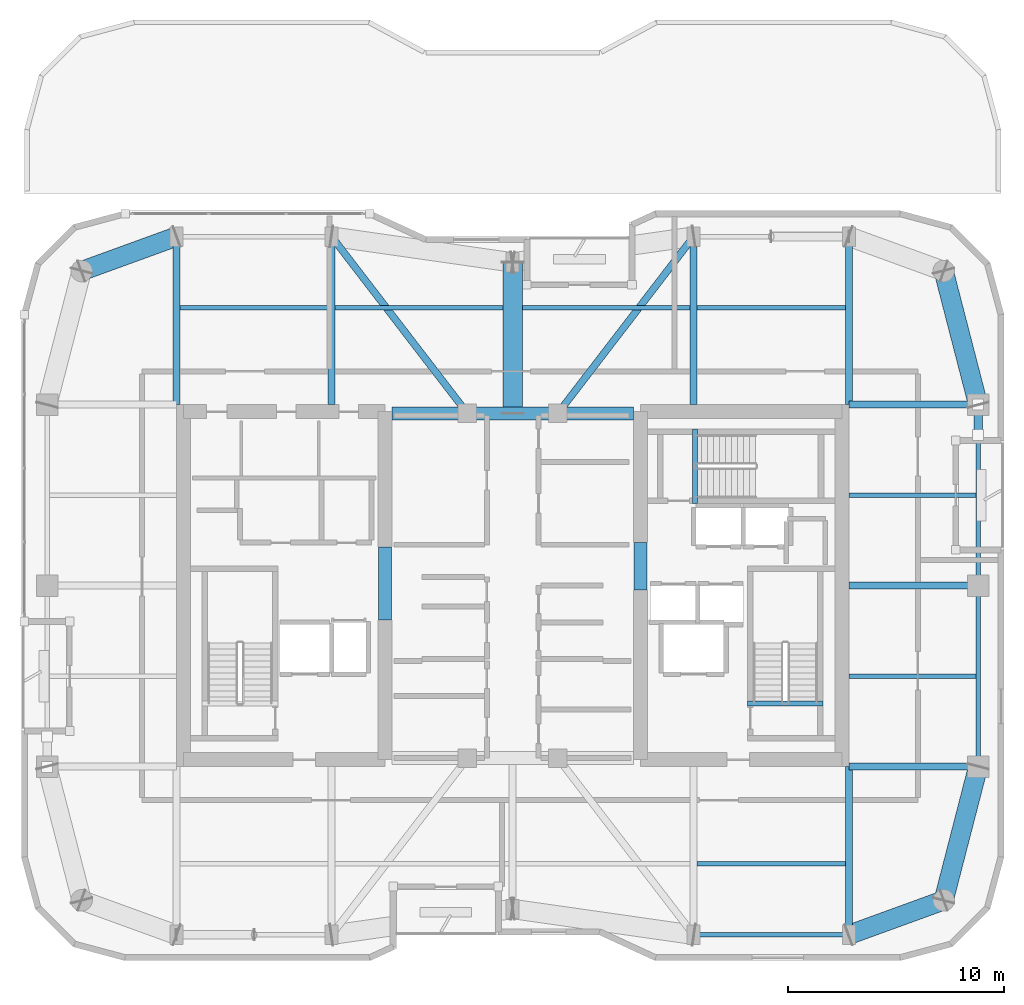
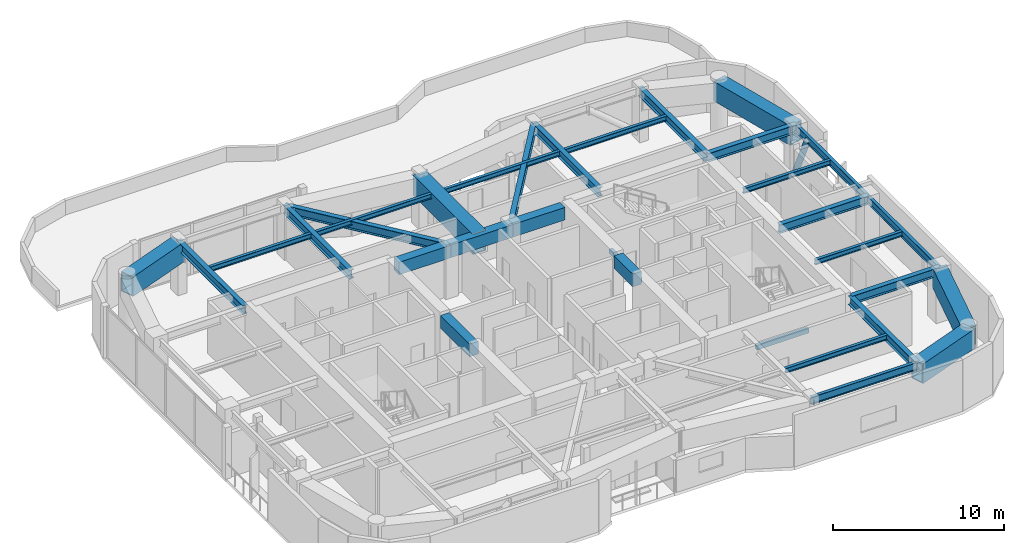
# One storey, part 5 of 16: 32 beams, 1 member.
"""IFC4 building model written with IfcOpenShell, lengths in metres."""

from ifc_helpers import new_model, si_unit, direction, frame, origin, origin_2d, place, context, subcontext, project, spatial, rectangle, hollow_rectangle, hollow_circle, i_section, extrude, material, material_profile, profile_set, type_object, element, save


model = new_model("IFC4")

# Units and contexts
model_context = context("Model", 3, precision=1e-05, world=origin(), true_north=direction((0.0, 1.0)))
body_context = subcontext(model_context, "Body", "Model", "MODEL_VIEW")
ifc_project = project(units=[si_unit("LENGTHUNIT", "METRE"), si_unit("AREAUNIT", "SQUARE_METRE"), si_unit("VOLUMEUNIT", "CUBIC_METRE"), si_unit("PLANEANGLEUNIT", "RADIAN"), si_unit("MASSUNIT", "GRAM", prefix="KILO")], contexts=[model_context])

# Site, building, storey
site_placement = place(None, origin())
site = spatial("IfcSite", under=ifc_project, at=site_placement, CompositionType="ELEMENT")
building_placement = place(site_placement, origin())
building = spatial("IfcBuilding", under=site, at=building_placement, Name="Kiyonajd Concourse Tower", CompositionType="ELEMENT")
storey_placement = place(building_placement, frame((0.0, 0.0, 255.0)))
storey = spatial("IfcBuildingStorey", under=building, at=storey_placement, Name="L64", CompositionType="ELEMENT", Elevation=255.0)

# Beams
ifc_material_1 = material(Name="Concrete C60/75", Category="concrete")
ifc_material_profile_1 = material_profile(ifc_material_1, rectangle(XDim=0.60009765625, YDim=0.89990234375, at=origin_2d()), Name="RCBM-600x900")
ifc_profile_set_1 = profile_set([ifc_material_profile_1], Name="Concrete C60/75")
beam_type_1 = type_object("IfcBeamType", Name="BM-COUP-900", PredefinedType="LINTEL", material=ifc_profile_set_1)
beam_1_placement = place(storey_placement, frame((42.39990234375, 44.0, 3.22998046875), z_axis=(1.0, 0.0, 0.0), x_axis=(0.0, 1.0, 0.0)))
element("IfcBeam", 1, at=beam_1_placement, inside=storey, type_object=beam_type_1, Name="L64 Core Coupling Beam N1", PredefinedType="LINTEL", context=body_context, shape_type="SweptSolid", body=[
    extrude(rectangle(XDim=0.60009765625, YDim=0.89990234375, at=origin_2d()), origin(), (0.0, 0.0, 1.0), 3.5),
])
beam_2_placement = place(storey_placement, frame((45.89990234375, 44.0, 3.22998046875), z_axis=(1.0, 0.0, 0.0), x_axis=(0.0, 1.0, 0.0)))
element("IfcBeam", 2, at=beam_2_placement, inside=storey, type_object=beam_type_1, Name="L64 Core Coupling Beam N2", PredefinedType="LINTEL", context=body_context, shape_type="SweptSolid", body=[
    extrude(rectangle(XDim=0.60009765625, YDim=0.89990234375, at=origin_2d()), origin(), (0.0, 0.0, 1.0), 4.2001953125),
])
beam_3_placement = place(storey_placement, frame((50.10009765625, 44.0, 3.22998046875), z_axis=(1.0, 0.0, 0.0), x_axis=(0.0, 1.0, 0.0)))
element("IfcBeam", 3, at=beam_3_placement, inside=storey, type_object=beam_type_1, Name="L64 Core Coupling Beam N3", PredefinedType="LINTEL", context=body_context, shape_type="SweptSolid", body=[
    extrude(rectangle(XDim=0.60009765625, YDim=0.89990234375, at=origin_2d()), origin(), (0.0, 0.0, 1.0), 3.5),
])
beam_4_placement = place(storey_placement, frame((42.074951171875, 34.39990234375, 3.22998046875), z_axis=(0.0, 1.0, 0.0), x_axis=(-1.0, 0.0, 0.0)))
element("IfcBeam", 4, at=beam_4_placement, inside=storey, type_object=beam_type_1, Name="L64 West Core Throat Coupling Lintel", PredefinedType="LINTEL", context=body_context, shape_type="SweptSolid", body=[
    extrude(rectangle(XDim=0.60009765625, YDim=0.89990234375, at=origin_2d()), origin(), (0.0, 0.0, 1.0), 3.400146484375),
])
beam_5_placement = place(storey_placement, frame((53.925048828125, 35.800048828125, 3.22998046875), z_axis=(0.0, 1.0, 0.0), x_axis=(-1.0, 0.0, 0.0)))
element("IfcBeam", 5, at=beam_5_placement, inside=storey, type_object=beam_type_1, Name="L64 East Core Throat Coupling Lintel", PredefinedType="LINTEL", context=body_context, shape_type="SweptSolid", body=[
    extrude(rectangle(XDim=0.60009765625, YDim=0.89990234375, at=origin_2d()), origin(), (0.0, 0.0, 1.0), 2.199951171875),
])
ifc_material_2 = material(Name="Steel ASTM A992 Grade 50", Category="steel")
ifc_material_profile_2 = material_profile(ifc_material_2, i_section(OverallWidth=0.205078125, OverallDepth=0.35400390625, WebThickness=0.009521484375, FlangeThickness=0.016845703125, at=origin_2d()), Name="W360X79")
ifc_profile_set_2 = profile_set([ifc_material_profile_2], Name="Steel ASTM A992 Grade 50")
beam_type_2 = type_object("IfcBeamType", Name="BM-JST-360", PredefinedType="JOIST", material=ifc_profile_set_2)
for number, where, z_axis, x_axis, name in (
    (6, (56.56201171875, 23.10009765625, 3.5029296875), (1.0, 0.0, 0.0), (0.0, 1.0, 0.0), "L64 Secondary Floor Joist"),
    (7, (32.56201171875, 48.89990234375, 3.5029296875), (1.0, 0.0, 0.0), (0.0, 1.0, 0.0), "L64 Secondary Floor Joist"),
):
    element("IfcBeam", number, at=place(storey_placement, frame(where, z_axis=z_axis, x_axis=x_axis)), inside=storey, type_object=beam_type_2, Name=name, PredefinedType="JOIST", context=body_context, shape_type="SweptSolid", body=[
        extrude(i_section(OverallWidth=0.205078125, OverallDepth=0.35400390625, WebThickness=0.009521484375, FlangeThickness=0.016845703125, at=origin_2d()), origin(), (0.0, 0.0, 1.0), 6.8759765625),
    ])
for number, where, z_axis, x_axis, name in (
    (8, (39.761962890625, 48.89990234375, 3.5029296875), (1.0, 0.0, 0.0), (0.0, 1.0, 0.0), "L64 Secondary Floor Joist"),
    (9, (48.449951171875, 48.89990234375, 3.5029296875), (1.0, 0.0, 0.0), (0.0, 1.0, 0.0), "L64 Secondary Floor Joist"),
):
    element("IfcBeam", number, at=place(storey_placement, frame(where, z_axis=z_axis, x_axis=x_axis)), inside=storey, type_object=beam_type_2, Name=name, PredefinedType="JOIST", context=body_context, shape_type="SweptSolid", body=[
        extrude(i_section(OverallWidth=0.205078125, OverallDepth=0.35400390625, WebThickness=0.009521484375, FlangeThickness=0.016845703125, at=origin_2d()), origin(), (0.0, 0.0, 1.0), 7.7880859375),
    ])
beam_6_placement = place(storey_placement, frame((56.56201171875, 48.89990234375, 3.5029296875), z_axis=(1.0, 0.0, 0.0), x_axis=(0.0, 1.0, 0.0)))
element("IfcBeam", 10, at=beam_6_placement, inside=storey, type_object=beam_type_2, Name="L64 Secondary Floor Joist", PredefinedType="JOIST", context=body_context, shape_type="SweptSolid", body=[
    extrude(i_section(OverallWidth=0.205078125, OverallDepth=0.35400390625, WebThickness=0.009521484375, FlangeThickness=0.016845703125, at=origin_2d()), origin(), (0.0, 0.0, 1.0), 6.8759765625),
])
for number, where, z_axis, x_axis, name in (
    (11, (63.60009765625, 31.800048828125, 3.5029296875), (1.0, 0.0, 0.0), (0.0, 1.0, 0.0), "L64 East Secondary Floor Joist"),
    (12, (63.60009765625, 40.199951171875, 3.5029296875), (1.0, 0.0, 0.0), (0.0, 1.0, 0.0), "L64 East Secondary Floor Joist"),
):
    element("IfcBeam", number, at=place(storey_placement, frame(where, z_axis=z_axis, x_axis=x_axis)), inside=storey, type_object=beam_type_2, Name=name, PredefinedType="JOIST", context=body_context, shape_type="SweptSolid", body=[
        extrude(i_section(OverallWidth=0.205078125, OverallDepth=0.35400390625, WebThickness=0.009521484375, FlangeThickness=0.016845703125, at=origin_2d()), origin(), (0.0, 0.0, 1.0), 5.894287109375),
    ])
ifc_material_3 = material(Name="Concrete C50/60", Category="concrete")
ifc_material_profile_3 = material_profile(ifc_material_3, rectangle(XDim=0.239990234375, YDim=0.320068359375, at=origin_2d()), Name="RCBM-240x320")
ifc_profile_set_3 = profile_set([ifc_material_profile_3], Name="Concrete C50/60")
beam_type_3 = type_object("IfcBeamType", Name="BM-LNT-250", PredefinedType="LINTEL", material=ifc_profile_set_3)
beam_7_placement = place(storey_placement, frame((58.889892578125, 30.530029296875, -0.159912109375), z_axis=(1.0, 0.0, 0.0), x_axis=(0.0, 1.0, 0.0)))
element("IfcBeam", 13, at=beam_7_placement, inside=storey, type_object=beam_type_3, Name="L64 Stair ST2 Threshold Support Beam", PredefinedType="LINTEL", context=body_context, shape_type="SweptSolid", body=[
    extrude(rectangle(XDim=0.239990234375, YDim=0.320068359375, at=origin_2d()), origin(), (0.0, 0.0, 1.0), 3.52001953125),
])
beam_8_placement = place(storey_placement, frame((56.4599609375, 39.820068359375, -0.159912109375), z_axis=(0.0, 1.0, 0.0), x_axis=(-1.0, 0.0, 0.0)))
element("IfcBeam", 14, at=beam_8_placement, inside=storey, type_object=beam_type_3, Name="L64 Stair ST3 Threshold Support Beam", PredefinedType="LINTEL", context=body_context, shape_type="SweptSolid", body=[
    extrude(rectangle(XDim=0.239990234375, YDim=0.320068359375, at=origin_2d()), origin(), (0.0, 0.0, 1.0), 3.4599609375),
])
ifc_material_profile_4 = material_profile(ifc_material_2, i_section(OverallWidth=0.2109375, OverallDepth=0.5390625, WebThickness=0.01171875, FlangeThickness=0.018798828125, at=origin_2d()), Name="W530X109")
ifc_profile_set_4 = profile_set([ifc_material_profile_4], Name="Steel ASTM A992 Grade 50")
beam_type_4 = type_object("IfcBeamType", Name="BM-SPAN-530B", PredefinedType="SPANDREL", material=ifc_profile_set_4)
beam_9_placement = place(storey_placement, frame((56.39990234375, 19.800048828125, 3.410400390625), z_axis=(1.0, 0.0, 0.0), x_axis=(0.0, 1.0, 0.0)))
element("IfcBeam", 15, at=beam_9_placement, inside=storey, type_object=beam_type_4, Name="L64 Perimeter Bundled Tube Spandrel", PredefinedType="SPANDREL", context=body_context, shape_type="SweptSolid", body=[
    extrude(i_section(OverallWidth=0.2109375, OverallDepth=0.5390625, WebThickness=0.01171875, FlangeThickness=0.018798828125, at=origin_2d()), origin(), (0.0, 0.0, 1.0), 7.2001953125),
])
for number, where, z_axis, x_axis, name in (
    (16, (69.60009765625, 27.60009765625, 3.410400390625), (0.0, 1.0, 0.0), (-1.0, 0.0, 0.0), "L64 Perimeter Bundled Tube Spandrel"),
    (17, (69.60009765625, 36.0, 3.410400390625), (0.0, 1.0, 0.0), (-1.0, 0.0, 0.0), "L64 Perimeter Bundled Tube Spandrel"),
):
    element("IfcBeam", number, at=place(storey_placement, frame(where, z_axis=z_axis, x_axis=x_axis)), inside=storey, type_object=beam_type_4, Name=name, PredefinedType="SPANDREL", context=body_context, shape_type="SweptSolid", body=[
        extrude(i_section(OverallWidth=0.2109375, OverallDepth=0.5390625, WebThickness=0.01171875, FlangeThickness=0.018798828125, at=origin_2d()), origin(), (0.0, 0.0, 1.0), 8.39990234375),
    ])
ifc_material_profile_5 = material_profile(ifc_material_2, i_section(OverallWidth=0.326904296875, OverallDepth=0.6220703125, WebThickness=0.015380859375, FlangeThickness=0.0244140625, at=origin_2d()), Name="W610X195")
ifc_profile_set_5 = profile_set([ifc_material_profile_5], Name="Steel ASTM A992 Grade 50")
beam_type_5 = type_object("IfcBeamType", Name="BM-TWR-610A", PredefinedType="BEAM", material=ifc_profile_set_5)
for number, where, z_axis, x_axis, name in (
    (18, (39.60009765625, 52.199951171875, 3.368896484375), (0.609233709922, -0.792990722956, 0.0), (0.792990722956, 0.609233709922, 0.0), "L64 Core Tie Girder"),
    (19, (50.10009765625, 44.0, 3.368896484375), (0.609233709922, 0.792990722956, 0.0), (-0.792990722956, 0.609233709922, 0.0), "L64 Core Tie Girder"),
):
    element("IfcBeam", number, at=place(storey_placement, frame(where, z_axis=z_axis, x_axis=x_axis)), inside=storey, type_object=beam_type_5, Name=name, PredefinedType="BEAM", context=body_context, shape_type="SweptSolid", body=[
        extrude(i_section(OverallWidth=0.326904296875, OverallDepth=0.6220703125, WebThickness=0.015380859375, FlangeThickness=0.0244140625, at=origin_2d()), origin(), (0.0, 0.0, 1.0), 10.340576171875),
    ])
ifc_material_profile_6 = material_profile(ifc_material_2, i_section(OverallWidth=0.323974609375, OverallDepth=0.611083984375, WebThickness=0.0126953125, FlangeThickness=0.01904296875, at=origin_2d()), Name="W610X155")
ifc_profile_set_6 = profile_set([ifc_material_profile_6], Name="Steel ASTM A992 Grade 50")
beam_type_6 = type_object("IfcBeamType", Name="BM-TWR-610B", PredefinedType="BEAM", material=ifc_profile_set_6)
for number, where, z_axis, x_axis, name in (
    (20, (32.39990234375, 44.39990234375, 3.37451171875), (0.0, 1.0, 0.0), (-1.0, 0.0, 0.0), "L64 North Lease Girder"),
    (21, (39.60009765625, 44.39990234375, 3.37451171875), (0.0, 1.0, 0.0), (-1.0, 0.0, 0.0), "L64 North Lease Girder"),
    (22, (56.39990234375, 44.39990234375, 3.37451171875), (0.0, 1.0, 0.0), (-1.0, 0.0, 0.0), "L64 North Lease Girder"),
    (23, (63.60009765625, 19.800048828125, 3.37451171875), (0.0, 1.0, 0.0), (-1.0, 0.0, 0.0), "L64 South Lease Girder"),
    (24, (63.60009765625, 44.39990234375, 3.37451171875), (0.0, 1.0, 0.0), (-1.0, 0.0, 0.0), "L64 North Lease Girder"),
):
    element("IfcBeam", number, at=place(storey_placement, frame(where, z_axis=z_axis, x_axis=x_axis)), inside=storey, type_object=beam_type_6, Name=name, PredefinedType="BEAM", context=body_context, shape_type="SweptSolid", body=[
        extrude(i_section(OverallWidth=0.323974609375, OverallDepth=0.611083984375, WebThickness=0.0126953125, FlangeThickness=0.01904296875, at=origin_2d()), origin(), (0.0, 0.0, 1.0), 7.800048828125),
    ])
for number, where, z_axis, x_axis, name in (
    (25, (63.60009765625, 27.60009765625, 3.37451171875), (1.0, 0.0, 0.0), (0.0, 1.0, 0.0), "L64 East Lease Girder"),
    (26, (63.60009765625, 36.0, 3.37451171875), (1.0, 0.0, 0.0), (0.0, 1.0, 0.0), "L64 East Lease Girder"),
    (27, (63.60009765625, 44.39990234375, 3.37451171875), (1.0, 0.0, 0.0), (0.0, 1.0, 0.0), "L64 East Lease Girder"),
):
    element("IfcBeam", number, at=place(storey_placement, frame(where, z_axis=z_axis, x_axis=x_axis)), inside=storey, type_object=beam_type_6, Name=name, PredefinedType="BEAM", context=body_context, shape_type="SweptSolid", body=[
        extrude(i_section(OverallWidth=0.323974609375, OverallDepth=0.611083984375, WebThickness=0.0126953125, FlangeThickness=0.01904296875, at=origin_2d()), origin(), (0.0, 0.0, 1.0), 6.0),
    ])
ifc_material_4 = material(Name="Steel ASTM A572 Grade 50", Category="steel")
ifc_material_profile_7 = material_profile(ifc_material_4, hollow_rectangle(XDim=0.89990234375, YDim=1.39990234375, WallThickness=0.070068359375, at=origin_2d()), Name="BOX-1400x900x70")
ifc_profile_set_7 = profile_set([ifc_material_profile_7], Name="Steel ASTM A572 Grade 50")
beam_type_7 = type_object("IfcBeamType", Name="BM-XFER-1400", PredefinedType="BEAM", material=ifc_profile_set_7)
beam_10_placement = place(storey_placement, frame((63.60009765625, 19.800048828125, 2.97998046875), z_axis=(0.939801036019, 0.341722127901, 0.0), x_axis=(-0.341722127901, 0.939801036019, 0.0)))
element("IfcBeam", 28, at=beam_10_placement, inside=storey, type_object=beam_type_7, Name="L64 Perimeter Bundled Tube Spandrel", PredefinedType="BEAM", context=body_context, shape_type="SweptSolid", body=[
    extrude(hollow_rectangle(XDim=0.89990234375, YDim=1.39990234375, WallThickness=0.070068359375, at=origin_2d()), origin(), (0.0, 0.0, 1.0), 4.681640625),
])
for number, where, z_axis, x_axis, name in (
    (29, (68.0, 21.39990234375, 2.97998046875), (0.249884937687, 0.968275538221, 0.0), (-0.968275538221, 0.249884937687, 0.0), "L64 Perimeter Bundled Tube Spandrel"),
    (30, (69.60009765625, 44.39990234375, 2.97998046875), (-0.249884937687, 0.968275538221, 0.0), (-0.968275538221, -0.249884937687, 0.0), "L64 Perimeter Bundled Tube Spandrel"),
):
    element("IfcBeam", number, at=place(storey_placement, frame(where, z_axis=z_axis, x_axis=x_axis)), inside=storey, type_object=beam_type_7, Name=name, PredefinedType="BEAM", context=body_context, shape_type="SweptSolid", body=[
        extrude(hollow_rectangle(XDim=0.89990234375, YDim=1.39990234375, WallThickness=0.070068359375, at=origin_2d()), origin(), (0.0, 0.0, 1.0), 6.4033203125),
    ])
beam_11_placement = place(storey_placement, frame((32.39990234375, 52.199951171875, 2.97998046875), z_axis=(-0.939801036019, -0.341722127901, 0.0), x_axis=(0.341722127901, -0.939801036019, 0.0)))
element("IfcBeam", 31, at=beam_11_placement, inside=storey, type_object=beam_type_7, Name="L64 Perimeter Bundled Tube Spandrel", PredefinedType="BEAM", context=body_context, shape_type="SweptSolid", body=[
    extrude(hollow_rectangle(XDim=0.89990234375, YDim=1.39990234375, WallThickness=0.070068359375, at=origin_2d()), origin(), (0.0, 0.0, 1.0), 4.681640625),
])
ifc_material_profile_8 = material_profile(ifc_material_4, hollow_rectangle(XDim=0.89990234375, YDim=1.449951171875, WallThickness=0.074951171875, at=origin_2d()), Name="BOX-1450x900x75")
ifc_profile_set_8 = profile_set([ifc_material_profile_8], Name="Steel ASTM A572 Grade 50")
beam_type_8 = type_object("IfcBeamType", Name="BM-XFER-1800", PredefinedType="BEAM", material=ifc_profile_set_8)
beam_12_placement = place(storey_placement, frame((48.0, 44.0, 2.955078125), z_axis=(0.0, 1.0, 0.0), x_axis=(-1.0, 0.0, 0.0)))
element("IfcBeam", 32, at=beam_12_placement, inside=storey, type_object=beam_type_8, Name="L64 North Ribbon Girder", PredefinedType="BEAM", context=body_context, shape_type="SweptSolid", body=[
    extrude(hollow_rectangle(XDim=0.89990234375, YDim=1.449951171875, WallThickness=0.074951171875, at=origin_2d()), origin(), (0.0, 0.0, 1.0), 7.0),
])

# Member
ifc_material_5 = material(Name="Steel ASTM A500 Grade C", Category="steel")
ifc_material_profile_9 = material_profile(ifc_material_5, hollow_circle(Radius=0.202880859375, WallThickness=0.01904296875, at=origin_2d()), Name="CHS-406x19")
ifc_profile_set_9 = profile_set([ifc_material_profile_9], Name="Steel ASTM A500 Grade C")
member_type = type_object("IfcMemberType", Name="MB-PB-HIGH", PredefinedType="BRACE", material=ifc_profile_set_9)
member_placement = place(storey_placement, frame((69.60009765625, 44.39990234375, 0.300048828125), z_axis=(0.0, -0.419410666774, 0.907796614114), x_axis=(1.0, 0.0, 0.0)))
element("IfcMember", 33, at=member_placement, inside=storey, type_object=member_type, Name="L64 Upper Zone Hollow Tube Brace PBE", PredefinedType="BRACE", context=body_context, shape_type="SweptSolid", body=[
    extrude(hollow_circle(Radius=0.202880859375, WallThickness=0.01904296875, at=origin_2d()), origin(), (0.0, 0.0, 1.0), 3.337890625),
])

save(model, "model.ifc")
